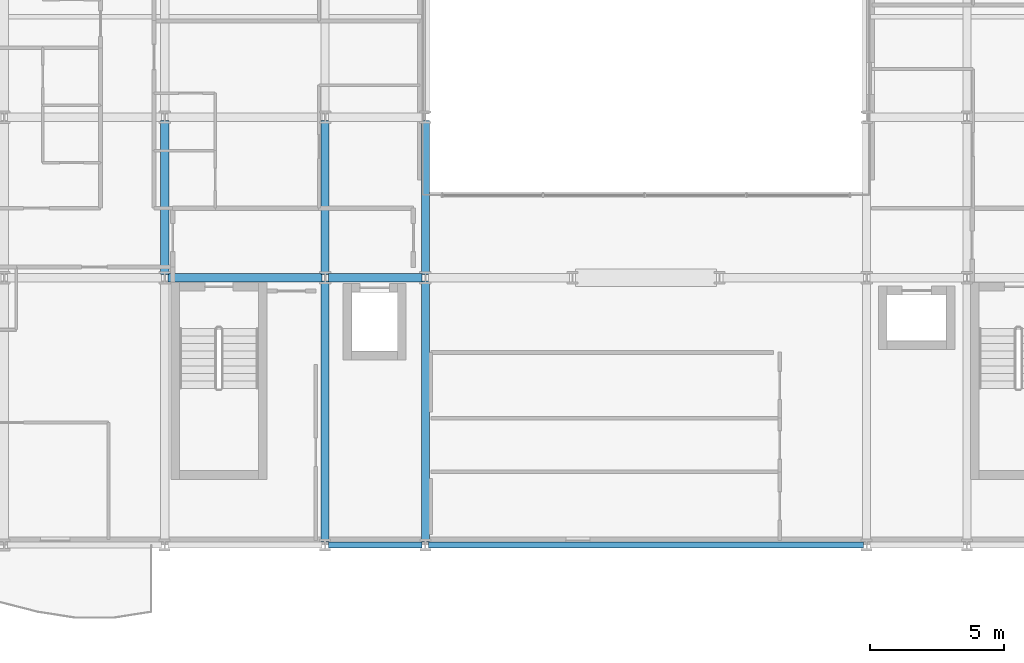
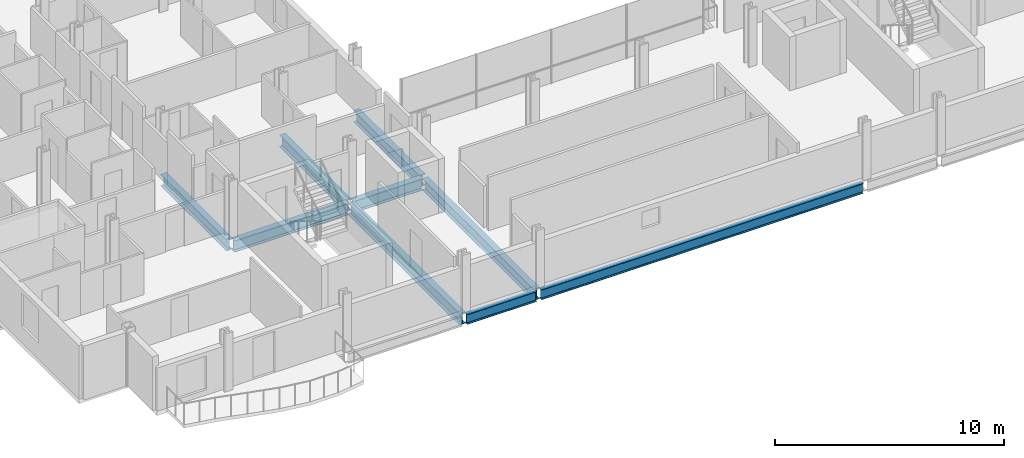
# One storey, part 3 of 40: 9 beams.
"""IFC4 building model written with IfcOpenShell, lengths in metres."""

from ifc_helpers import new_model, si_unit, direction, frame, origin, origin_2d, place, context, subcontext, project, spatial, i_section, extrude, material, material_profile, profile_set, type_object, element, save


model = new_model("IFC4")

# Units and contexts
model_context = context("Model", 3, precision=1e-05, world=origin(), true_north=direction((0.0, 1.0)))
body_context = subcontext(model_context, "Body", "Model", "MODEL_VIEW")
ifc_project = project(units=[si_unit("LENGTHUNIT", "METRE"), si_unit("AREAUNIT", "SQUARE_METRE"), si_unit("VOLUMEUNIT", "CUBIC_METRE"), si_unit("PLANEANGLEUNIT", "RADIAN"), si_unit("MASSUNIT", "GRAM", prefix="KILO")], contexts=[model_context])

# Site, building, storey
site_placement = place(None, origin())
site = spatial("IfcSite", under=ifc_project, at=site_placement, CompositionType="ELEMENT")
building_placement = place(site_placement, origin())
building = spatial("IfcBuilding", under=site, at=building_placement, Name="Brevholm Reach", CompositionType="ELEMENT")
storey_placement = place(building_placement, frame((0.0, 0.0, 37.300048828125)))
storey = spatial("IfcBuildingStorey", under=building, at=storey_placement, Name="L09", CompositionType="ELEMENT", Elevation=37.300048828125)

# Beams
ifc_material_1 = material(Name="Structural Steel S355J2", Category="steel")
ifc_material_profile_1 = material_profile(ifc_material_1, i_section(OverallWidth=0.210693359375, OverallDepth=0.53955078125, WebThickness=0.01171875, FlangeThickness=0.018798828125, FilletRadius=0.0126953125, at=origin_2d()), Name="UKB 533x210x109")
ifc_profile_set_1 = profile_set([ifc_material_profile_1], Name="Structural Steel S355J2")
beam_type_1 = type_object("IfcBeamType", Name="BM-SP539", PredefinedType="SPANDREL", material=ifc_profile_set_1)
beam_1_placement = place(storey_placement, frame((18.1201171875, 0.0, -0.499755859375), z_axis=(1.0, 0.0, 0.0), x_axis=(0.0, 1.0, 0.0)))
element("IfcBeam", 1, at=beam_1_placement, inside=storey, type_object=beam_type_1, Name="L09 SP-01B Framing Beam", PredefinedType="SPANDREL", context=body_context, shape_type="SweptSolid", body=[
    extrude(i_section(OverallWidth=0.210693359375, OverallDepth=0.53955078125, WebThickness=0.01171875, FlangeThickness=0.018798828125, FilletRadius=0.0126953125, at=origin_2d()), origin(), (0.0, 0.0, 1.0), 3.509765625),
])
beam_2_placement = place(storey_placement, frame((21.8701171875, 0.0, -0.499755859375), z_axis=(1.0, 0.0, 0.0), x_axis=(0.0, 1.0, 0.0)))
element("IfcBeam", 2, at=beam_2_placement, inside=storey, type_object=beam_type_1, Name="L09 SP-01B Framing Beam", PredefinedType="SPANDREL", context=body_context, shape_type="SweptSolid", body=[
    extrude(i_section(OverallWidth=0.210693359375, OverallDepth=0.53955078125, WebThickness=0.01171875, FlangeThickness=0.018798828125, FilletRadius=0.0126953125, at=origin_2d()), origin(), (0.0, 0.0, 1.0), 16.259765625),
])
ifc_material_2 = material(Name="Structural Steel S355J2", Category="steel")
ifc_material_profile_2 = material_profile(ifc_material_2, i_section(OverallWidth=0.30712890625, OverallDepth=0.6201171875, WebThickness=0.01416015625, FlangeThickness=0.023681640625, FilletRadius=0.0166015625, at=origin_2d()), Name="UKB 610x305x179")
ifc_profile_set_2 = profile_set([ifc_material_profile_2], Name="Structural Steel S355J2")
beam_type_2 = type_object("IfcBeamType", Name="BM-UKB610H", PredefinedType="USERDEFINED", material=ifc_profile_set_2)
beam_3_placement = place(storey_placement, frame((12.1201171875, 10.0, -0.5400390625), z_axis=(1.0, 0.0, 0.0), x_axis=(0.0, 1.0, 0.0)))
element("IfcBeam", 3, at=beam_3_placement, inside=storey, type_object=beam_type_2, Name="L09 G-06 Framing Beam", ObjectType="GIRDER", PredefinedType="USERDEFINED", context=body_context, shape_type="SweptSolid", body=[
    extrude(i_section(OverallWidth=0.30712890625, OverallDepth=0.6201171875, WebThickness=0.01416015625, FlangeThickness=0.023681640625, FilletRadius=0.0166015625, at=origin_2d()), origin(), (0.0, 0.0, 1.0), 5.759765625),
])
beam_4_placement = place(storey_placement, frame((18.1201171875, 10.0, -0.5400390625), z_axis=(1.0, 0.0, 0.0), x_axis=(0.0, 1.0, 0.0)))
element("IfcBeam", 4, at=beam_4_placement, inside=storey, type_object=beam_type_2, Name="L09 G-06 Framing Beam", ObjectType="GIRDER", PredefinedType="USERDEFINED", context=body_context, shape_type="SweptSolid", body=[
    extrude(i_section(OverallWidth=0.30712890625, OverallDepth=0.6201171875, WebThickness=0.01416015625, FlangeThickness=0.023681640625, FilletRadius=0.0166015625, at=origin_2d()), origin(), (0.0, 0.0, 1.0), 3.509765625),
])
beam_5_placement = place(storey_placement, frame((12.0, 10.1201171875, -0.5400390625), z_axis=(0.0, 1.0, 0.0), x_axis=(-1.0, 0.0, 0.0)))
element("IfcBeam", 5, at=beam_5_placement, inside=storey, type_object=beam_type_2, Name="L09 G-06 Framing Beam", ObjectType="GIRDER", PredefinedType="USERDEFINED", context=body_context, shape_type="SweptSolid", body=[
    extrude(i_section(OverallWidth=0.30712890625, OverallDepth=0.6201171875, WebThickness=0.01416015625, FlangeThickness=0.023681640625, FilletRadius=0.0166015625, at=origin_2d()), origin(), (0.0, 0.0, 1.0), 5.759765625),
])
beam_6_placement = place(storey_placement, frame((18.0, 0.1201171875, -0.5400390625), z_axis=(0.0, 1.0, 0.0), x_axis=(-1.0, 0.0, 0.0)))
element("IfcBeam", 6, at=beam_6_placement, inside=storey, type_object=beam_type_2, Name="L09 G-06 Framing Beam", ObjectType="GIRDER", PredefinedType="USERDEFINED", context=body_context, shape_type="SweptSolid", body=[
    extrude(i_section(OverallWidth=0.30712890625, OverallDepth=0.6201171875, WebThickness=0.01416015625, FlangeThickness=0.023681640625, FilletRadius=0.0166015625, at=origin_2d()), origin(), (0.0, 0.0, 1.0), 9.759765625),
])
beam_7_placement = place(storey_placement, frame((18.0, 10.1201171875, -0.5400390625), z_axis=(0.0, 1.0, 0.0), x_axis=(-1.0, 0.0, 0.0)))
element("IfcBeam", 7, at=beam_7_placement, inside=storey, type_object=beam_type_2, Name="L09 G-06 Framing Beam", ObjectType="GIRDER", PredefinedType="USERDEFINED", context=body_context, shape_type="SweptSolid", body=[
    extrude(i_section(OverallWidth=0.30712890625, OverallDepth=0.6201171875, WebThickness=0.01416015625, FlangeThickness=0.023681640625, FilletRadius=0.0166015625, at=origin_2d()), origin(), (0.0, 0.0, 1.0), 5.759765625),
])
beam_8_placement = place(storey_placement, frame((21.75, 0.1201171875, -0.5400390625), z_axis=(0.0, 1.0, 0.0), x_axis=(-1.0, 0.0, 0.0)))
element("IfcBeam", 8, at=beam_8_placement, inside=storey, type_object=beam_type_2, Name="L09 G-06 Framing Beam", ObjectType="GIRDER", PredefinedType="USERDEFINED", context=body_context, shape_type="SweptSolid", body=[
    extrude(i_section(OverallWidth=0.30712890625, OverallDepth=0.6201171875, WebThickness=0.01416015625, FlangeThickness=0.023681640625, FilletRadius=0.0166015625, at=origin_2d()), origin(), (0.0, 0.0, 1.0), 9.759765625),
])
beam_9_placement = place(storey_placement, frame((21.75, 10.1201171875, -0.5400390625), z_axis=(0.0, 1.0, 0.0), x_axis=(-1.0, 0.0, 0.0)))
element("IfcBeam", 9, at=beam_9_placement, inside=storey, type_object=beam_type_2, Name="L09 G-06 Framing Beam", ObjectType="GIRDER", PredefinedType="USERDEFINED", context=body_context, shape_type="SweptSolid", body=[
    extrude(i_section(OverallWidth=0.30712890625, OverallDepth=0.6201171875, WebThickness=0.01416015625, FlangeThickness=0.023681640625, FilletRadius=0.0166015625, at=origin_2d()), origin(), (0.0, 0.0, 1.0), 5.759765625),
])

save(model, "model.ifc")
